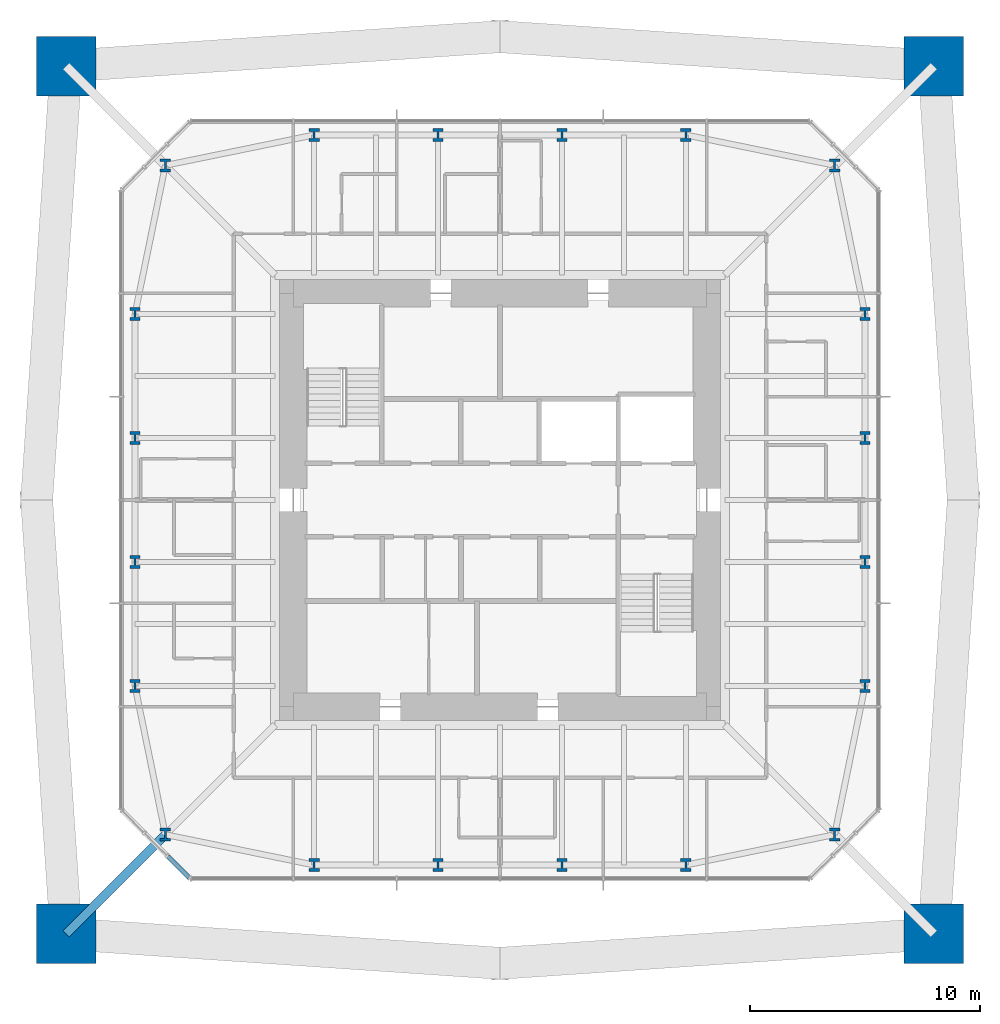
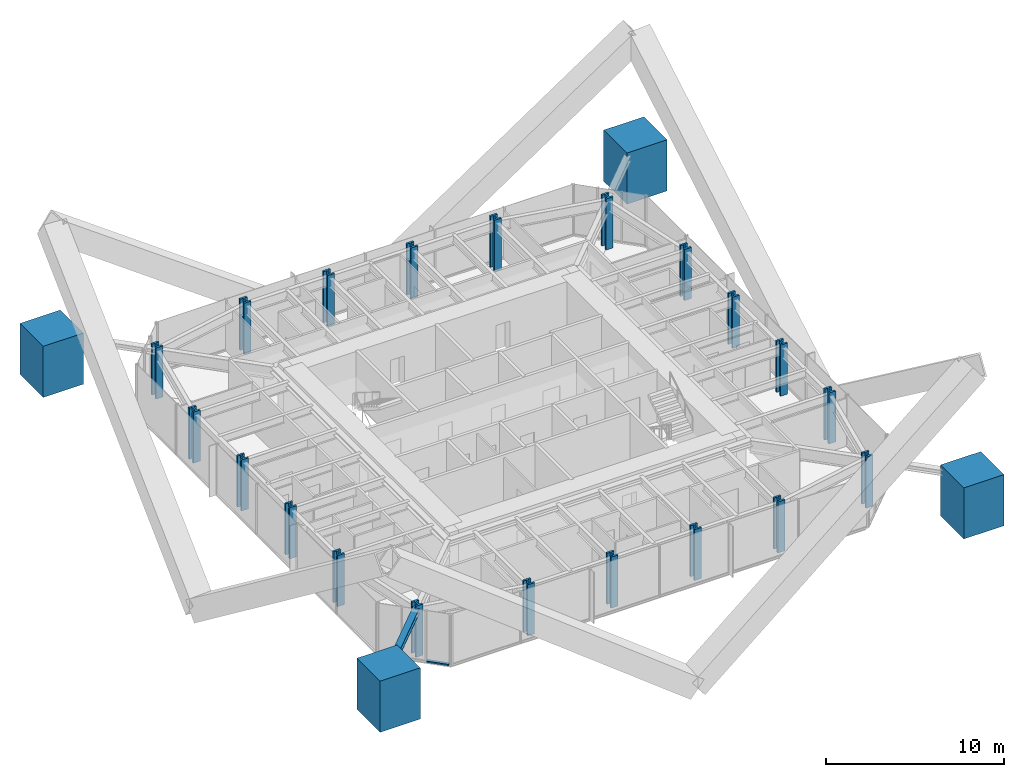
# One storey, part 1 of 11: 24 columns, 2 members, 1 element without a shape of its own.
"""IFC4 building model written with IfcOpenShell, lengths in metres."""

from ifc_helpers import new_model, si_unit, direction, frame, origin, origin_2d, place, context, subcontext, project, spatial, rectangle, i_section, extrude, material, material_profile, profile_set, type_object, element, aggregate, save


model = new_model("IFC4")

# Units and contexts
model_context = context("Model", 3, precision=1e-05, world=origin(), true_north=direction((0.0, 1.0)))
body_context = subcontext(model_context, "Body", "Model", "MODEL_VIEW")
ifc_project = project(units=[si_unit("LENGTHUNIT", "METRE"), si_unit("AREAUNIT", "SQUARE_METRE"), si_unit("VOLUMEUNIT", "CUBIC_METRE"), si_unit("PLANEANGLEUNIT", "RADIAN"), si_unit("MASSUNIT", "GRAM", prefix="KILO")], contexts=[model_context])

# Site, building, storey
site_placement = place(None, origin())
site = spatial("IfcSite", under=ifc_project, at=site_placement, CompositionType="ELEMENT")
building_placement = place(site_placement, origin())
building = spatial("IfcBuilding", under=site, at=building_placement, Name="Iwan Alto Co-Living Towers", CompositionType="ELEMENT")
storey_placement = place(building_placement, frame((0.0, 0.0, 229.0)))
storey = spatial("IfcBuildingStorey", under=building, at=storey_placement, Name="L62", CompositionType="ELEMENT", Elevation=229.0)

# Columns
ifc_material_1 = material(Name="Concrete f'c 70 MPa", Category="concrete")
ifc_material_profile_1 = material_profile(ifc_material_1, rectangle(XDim=2.60009765625, YDim=2.60009765625, at=origin_2d()), Name="RC 2600X2600")
ifc_profile_set_1 = profile_set([ifc_material_profile_1], Name="Concrete f'c 70 MPa")
column_type_1 = type_object("IfcColumnType", Name="T1 MEGA COLUMN RC 2600X2600", PredefinedType="COLUMN", material=ifc_profile_set_1)
for number, where, z_axis, x_axis, name in (
    (1, (-18.89990234375, -18.89990234375, 0.0), (0.0, 0.0, 1.0), (1.0, 0.0, 0.0), "T1 mega column SW L62"),
    (2, (18.89990234375, -18.89990234375, 0.0), (0.0, 0.0, 1.0), (1.0, 0.0, 0.0), "T1 mega column SE L62"),
    (3, (18.89990234375, 18.89990234375, 0.0), (0.0, 0.0, 1.0), (1.0, 0.0, 0.0), "T1 mega column NE L62"),
    (4, (-18.89990234375, 18.89990234375, 0.0), (0.0, 0.0, 1.0), (1.0, 0.0, 0.0), "T1 mega column NW L62"),
):
    element("IfcColumn", number, at=place(storey_placement, frame(where, z_axis=z_axis, x_axis=x_axis)), inside=storey, type_object=column_type_1, Name=name, PredefinedType="COLUMN", context=body_context, shape_type="SweptSolid", body=[
        extrude(rectangle(XDim=2.60009765625, YDim=2.60009765625, at=origin_2d()), origin(), (0.0, 0.0, 1.0), 3.5),
        extrude(i_section(OverallWidth=0.4775390625, OverallDepth=0.599365234375, WebThickness=0.10009765625, FlangeThickness=0.139892578125, at=origin_2d()), origin(), (0.0, 0.0, 1.0), 3.5),
    ])
ifc_material_2 = material(Name="Steel ASTM A992 Gr 50", Category="steel")
ifc_material_profile_2 = material_profile(ifc_material_2, i_section(OverallWidth=0.45458984375, OverallDepth=0.56884765625, WebThickness=0.077880859375, FlangeThickness=0.124755859375, at=origin_2d()), Name="W14X730")
ifc_profile_set_2 = profile_set([ifc_material_profile_2], Name="Steel ASTM A992 Gr 50")
column_type_2 = type_object("IfcColumnType", Name="T1 RING COLUMN W14X730", PredefinedType="COLUMN", material=ifc_profile_set_2)
for number, where, z_axis, x_axis, name in (
    (5, (-14.57568359375, -14.57568359375, 0.0), (0.0, 0.0, 1.0), (1.0, 0.0, 0.0), "T1 ring column CSW L62"),
    (6, (-8.10009765625, -15.89990234375, 0.0), (0.0, 0.0, 1.0), (1.0, 0.0, 0.0), "T1 ring column S1 L62"),
    (7, (-2.699951171875, -15.89990234375, 0.0), (0.0, 0.0, 1.0), (1.0, 0.0, 0.0), "T1 ring column S2 L62"),
    (8, (2.699951171875, -15.89990234375, 0.0), (0.0, 0.0, 1.0), (1.0, 0.0, 0.0), "T1 ring column S3 L62"),
    (9, (8.10009765625, -15.89990234375, 0.0), (0.0, 0.0, 1.0), (1.0, 0.0, 0.0), "T1 ring column S4 L62"),
    (10, (14.57568359375, -14.57568359375, 0.0), (0.0, 0.0, 1.0), (1.0, 0.0, 0.0), "T1 ring column CSE L62"),
    (11, (15.89990234375, -8.10009765625, 0.0), (0.0, 0.0, 1.0), (1.0, 0.0, 0.0), "T1 ring column E1 L62"),
    (12, (15.89990234375, -2.699951171875, 0.0), (0.0, 0.0, 1.0), (1.0, 0.0, 0.0), "T1 ring column E2 L62"),
    (13, (15.89990234375, 2.699951171875, 0.0), (0.0, 0.0, 1.0), (1.0, 0.0, 0.0), "T1 ring column E3 L62"),
    (14, (15.89990234375, 8.10009765625, 0.0), (0.0, 0.0, 1.0), (1.0, 0.0, 0.0), "T1 ring column E4 L62"),
    (15, (14.57568359375, 14.57568359375, 0.0), (0.0, 0.0, 1.0), (1.0, 0.0, 0.0), "T1 ring column CNE L62"),
    (16, (8.10009765625, 15.89990234375, 0.0), (0.0, 0.0, 1.0), (1.0, 0.0, 0.0), "T1 ring column N1 L62"),
    (17, (2.699951171875, 15.89990234375, 0.0), (0.0, 0.0, 1.0), (1.0, 0.0, 0.0), "T1 ring column N2 L62"),
    (18, (-2.699951171875, 15.89990234375, 0.0), (0.0, 0.0, 1.0), (1.0, 0.0, 0.0), "T1 ring column N3 L62"),
    (19, (-8.10009765625, 15.89990234375, 0.0), (0.0, 0.0, 1.0), (1.0, 0.0, 0.0), "T1 ring column N4 L62"),
    (20, (-14.57568359375, 14.57568359375, 0.0), (0.0, 0.0, 1.0), (1.0, 0.0, 0.0), "T1 ring column CNW L62"),
    (21, (-15.89990234375, 8.10009765625, 0.0), (0.0, 0.0, 1.0), (1.0, 0.0, 0.0), "T1 ring column W1 L62"),
    (22, (-15.89990234375, 2.699951171875, 0.0), (0.0, 0.0, 1.0), (1.0, 0.0, 0.0), "T1 ring column W2 L62"),
    (23, (-15.89990234375, -2.699951171875, 0.0), (0.0, 0.0, 1.0), (1.0, 0.0, 0.0), "T1 ring column W3 L62"),
    (24, (-15.89990234375, -8.10009765625, 0.0), (0.0, 0.0, 1.0), (1.0, 0.0, 0.0), "T1 ring column W4 L62"),
):
    element("IfcColumn", number, at=place(storey_placement, frame(where, z_axis=z_axis, x_axis=x_axis)), inside=storey, type_object=column_type_2, Name=name, PredefinedType="COLUMN", context=body_context, shape_type="SweptSolid", body=[
        extrude(i_section(OverallWidth=0.45458984375, OverallDepth=0.56884765625, WebThickness=0.077880859375, FlangeThickness=0.124755859375, at=origin_2d()), origin(), (0.0, 0.0, 1.0), 3.5),
    ])

# Curtain wall, member
ifc_material_3 = material(Name="Bronze aluminium unitised frame", Category="aluminium")
curtain_wall_type = type_object("IfcCurtainWallType", Name="CURTAIN WALL CW-B", PredefinedType="NOTDEFINED", material=ifc_material_3)
curtain_wall_placement = place(storey_placement, origin())
curtain_wall = element("IfcCurtainWall", 25, at=curtain_wall_placement, inside=storey, type_object=curtain_wall_type, Name="T1 chamfer curtain wall SW L62", PredefinedType="NOTDEFINED")
ifc_material_4 = material(Name="Aluminium 6063-T6 bronze anodised", Category="aluminium")
ifc_material_profile_3 = material_profile(ifc_material_4, rectangle(XDim=0.199951171875, YDim=0.10009765625, at=origin_2d()), Name="AL 200X100")
ifc_profile_set_3 = profile_set([ifc_material_profile_3], Name="Aluminium 6063-T6 bronze anodised")
member_type_1 = type_object("IfcMemberType", Name="CW-B TRANSOM 200X100", PredefinedType="USERDEFINED", material=ifc_profile_set_3)
member_1_placement = place(storey_placement, frame((-14.4716796875, -15.5283203125, 0.050048828125), z_axis=(0.707106781187, -0.707106781187, 0.0), x_axis=(0.707106781187, 0.707106781187, 0.0)))
member_1 = element("IfcMember", 26, at=member_1_placement, type_object=member_type_1, Name="CW-B transom 3.1", ObjectType="TRANSOM", PredefinedType="USERDEFINED", context=body_context, shape_type="SweptSolid", body=[
    extrude(rectangle(XDim=0.199951171875, YDim=0.10009765625, at=origin_2d()), origin(), (0.0, 0.0, 1.0), 1.2939453125),
])
aggregate(curtain_wall, [member_1])

# Member
ifc_material_5 = material(Name="Steel ASTM A992 Gr 50", Category="steel")
ifc_material_profile_4 = material_profile(ifc_material_5, i_section(OverallWidth=0.393798828125, OverallDepth=0.3759765625, WebThickness=0.017333984375, FlangeThickness=0.027587890625, at=origin_2d()), Name="W14X145")
ifc_profile_set_4 = profile_set([ifc_material_profile_4], Name="Steel ASTM A992 Gr 50")
member_type_2 = type_object("IfcMemberType", Name="T1 MEGA COLUMN FLOOR TIE W14X145", PredefinedType="STRUT", material=ifc_profile_set_4)
member_2_placement = place(storey_placement, frame((-18.89990234375, -18.89990234375, 3.08203125), z_axis=(0.707106781187, 0.707106781187, 0.0), x_axis=(-0.707106781187, 0.707106781187, 0.0)))
element("IfcMember", 27, at=member_2_placement, inside=storey, type_object=member_type_2, Name="T1 mega column floor tie SW L63", PredefinedType="STRUT", context=body_context, shape_type="SweptSolid", body=[
    extrude(i_section(OverallWidth=0.393798828125, OverallDepth=0.3759765625, WebThickness=0.017333984375, FlangeThickness=0.027587890625, at=origin_2d()), origin(), (0.0, 0.0, 1.0), 6.115478515625),
])

save(model, "model.ifc")
